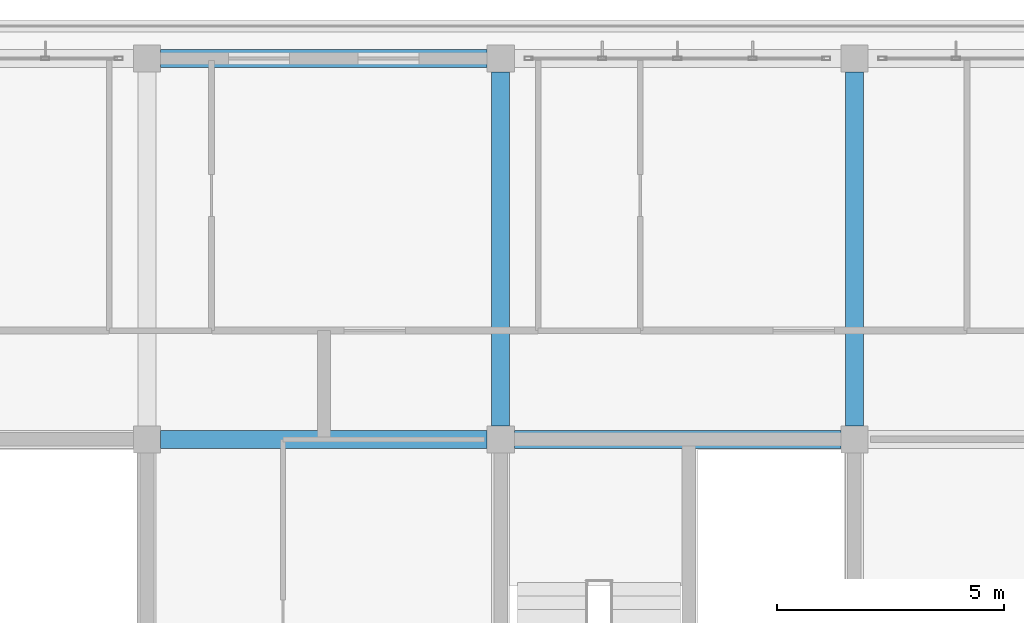
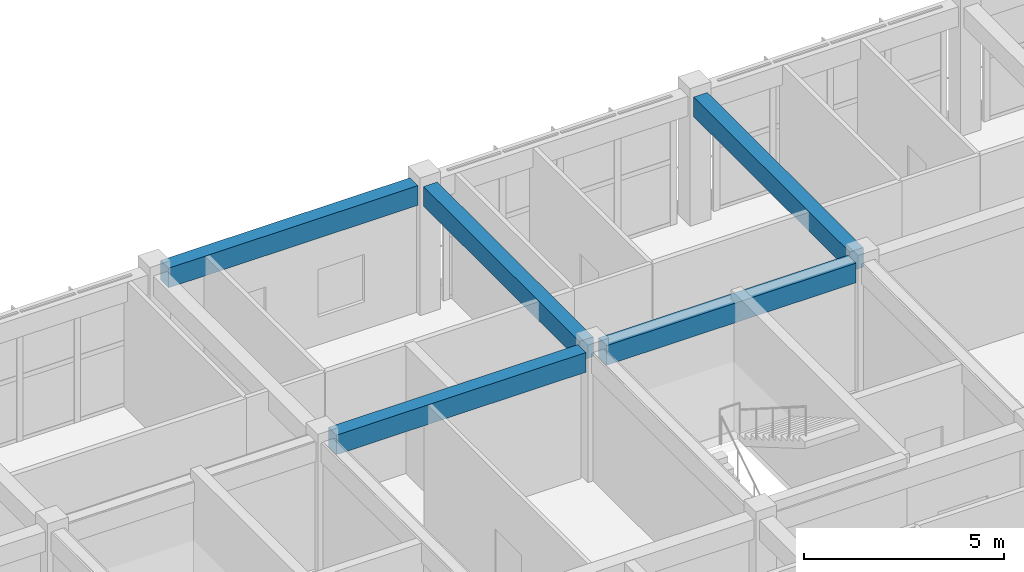
# One storey, part 18 of 50: 5 beams.
"""IFC4 building model written with IfcOpenShell, lengths in metres."""

from ifc_helpers import new_model, si_unit, direction, frame, origin, origin_2d, place, context, subcontext, project, spatial, rectangle, extrude, material, material_profile, profile_set, type_object, element, save


model = new_model("IFC4")

# Units and contexts
model_context = context("Model", 3, precision=1e-05, world=origin(), true_north=direction((0.0, 1.0)))
body_context = subcontext(model_context, "Body", "Model", "MODEL_VIEW")
ifc_project = project(units=[si_unit("LENGTHUNIT", "METRE"), si_unit("AREAUNIT", "SQUARE_METRE"), si_unit("VOLUMEUNIT", "CUBIC_METRE"), si_unit("PLANEANGLEUNIT", "RADIAN"), si_unit("MASSUNIT", "GRAM", prefix="KILO")], contexts=[model_context])

# Site, building, storey
site_placement = place(None, origin())
site = spatial("IfcSite", under=ifc_project, at=site_placement, CompositionType="ELEMENT")
building_placement = place(site_placement, origin())
building = spatial("IfcBuilding", under=site, at=building_placement, Name="Zizhar Promenade General Hospital", CompositionType="ELEMENT")
storey_placement = place(building_placement, frame((0.0, 0.0, 30.60009765625)))
storey = spatial("IfcBuildingStorey", under=building, at=storey_placement, Name="L07", CompositionType="ELEMENT", Elevation=30.60009765625)

# Beams
ifc_material = material(Name="Concrete C35/45", Category="concrete")
ifc_material_profile = material_profile(ifc_material, rectangle(XDim=0.39990234375, YDim=0.60009765625, at=origin_2d()))
ifc_profile_set = profile_set([ifc_material_profile], Name="Concrete C35/45")
beam_type = type_object("IfcBeamType", Name="BM-RC-400x600", PredefinedType="JOIST", material=ifc_profile_set)
for number, where, z_axis, x_axis, name in (
    (1, (70.5, 16.800048828125, 3.60986328125), (1.0, 0.0, 0.0), (0.0, 1.0, 0.0), "Grid Beam X L07 (9-2)"),
    (2, (70.5, 25.199951171875, 3.60986328125), (1.0, 0.0, 0.0), (0.0, 1.0, 0.0), "Grid Beam X L07 (9-3)"),
    (3, (78.300048828125, 16.800048828125, 3.60986328125), (1.0, 0.0, 0.0), (0.0, 1.0, 0.0), "Grid Beam X L07 (10-2)"),
):
    element("IfcBeam", number, at=place(storey_placement, frame(where, z_axis=z_axis, x_axis=x_axis)), inside=storey, type_object=beam_type, Name=name, PredefinedType="JOIST", context=body_context, shape_type="SweptSolid", body=[
        extrude(rectangle(XDim=0.39990234375, YDim=0.60009765625, at=origin_2d()), origin(), (0.0, 0.0, 1.0), 7.199951171875),
    ])
for number, where, z_axis, x_axis, name in (
    (4, (78.0, 17.10009765625, 3.60986328125), (0.0, 1.0, 0.0), (-1.0, 0.0, 0.0), "Grid Beam Y L07 (10-2)"),
    (5, (85.800048828125, 17.10009765625, 3.60986328125), (0.0, 1.0, 0.0), (-1.0, 0.0, 0.0), "Grid Beam Y L07 (11-2)"),
):
    element("IfcBeam", number, at=place(storey_placement, frame(where, z_axis=z_axis, x_axis=x_axis)), inside=storey, type_object=beam_type, Name=name, PredefinedType="JOIST", context=body_context, shape_type="SweptSolid", body=[
        extrude(rectangle(XDim=0.39990234375, YDim=0.60009765625, at=origin_2d()), origin(), (0.0, 0.0, 1.0), 7.7998046875),
    ])

save(model, "model.ifc")
